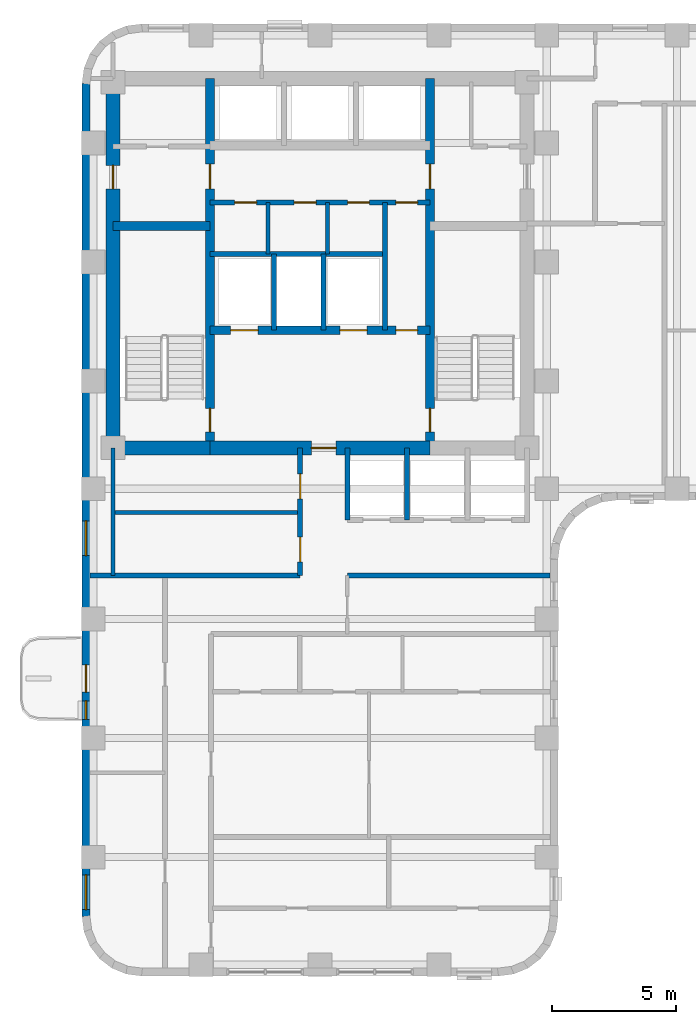
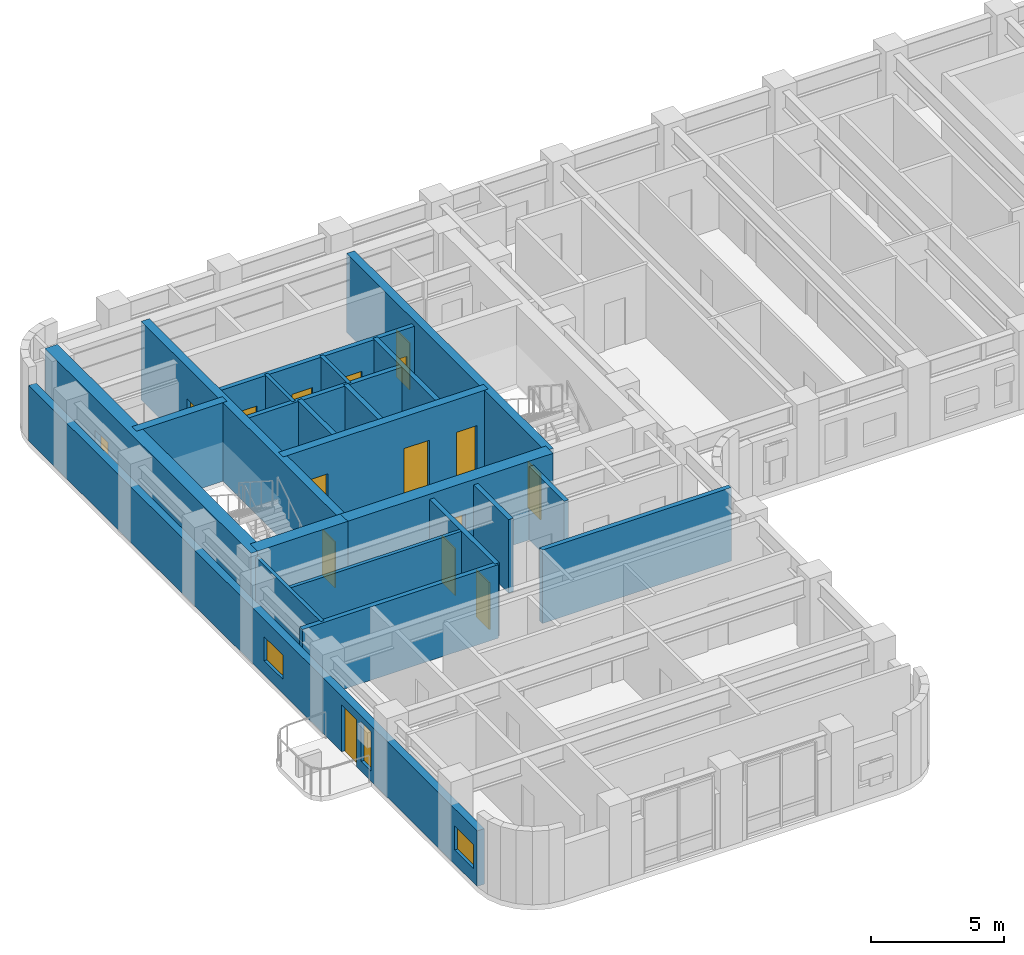
# One storey, part 5 of 11: 22 walls, 16 doors, 3 windows, 19 openings.
"""IFC4 building model written with IfcOpenShell, lengths in metres."""

import ifcopenshell
import ifcopenshell.guid

model = None  # the IFC model being written
_history = None  # IfcOwnerHistory: only IFC2X3 demands one
_inside = {}  # id of a spatial element -> (the spatial element, [elements in it])
_under = {}  # id of a project, library or spatial element -> (it, [spatial elements below it])
_declared = {}  # id of a project -> (the project, [libraries it declares])
_typed = {}  # id of a type object -> (the type object, [elements of that type])
_made_of = {}  # id of a material, layer set ... -> (it, [elements and type objects made of it])


def new_model(schema):
    """Start an empty IFC model of exactly this schema.

    Asked for "IFC4X3", IfcOpenShell would pick the latest addendum, in which some entities
    have other attributes; the version numbers below select the first issue.
    IFC2X3 requires an IfcOwnerHistory on every rooted entity: one is made here for all.
    """
    global model, _history
    if schema == "IFC4X3":
        model = ifcopenshell.file(schema_version=(4, 3, 0, 0))
    else:
        model = ifcopenshell.file(schema=schema)
    _inside.clear()
    _under.clear()
    _declared.clear()
    _typed.clear()
    _made_of.clear()
    _history = None
    if model.schema == "IFC2X3":
        org = make("IfcOrganization", Name="unknown")
        user = make(
            "IfcPersonAndOrganization",
            ThePerson=make("IfcPerson", FamilyName="unknown"),
            TheOrganization=org,
        )
        app = make(
            "IfcApplication",
            ApplicationDeveloper=org,
            Version="unknown",
            ApplicationFullName="unknown",
            ApplicationIdentifier="unknown",
        )
        _history = make(
            "IfcOwnerHistory",
            OwningUser=user,
            OwningApplication=app,
            ChangeAction="ADDED",
            CreationDate=0,
        )
    return model


def make(cls, **values):
    """One entity of the class cls with the attributes given. An attribute that is None is left unset."""
    return model.create_entity(
        cls, **{name: value for name, value in values.items() if value is not None}
    )


def rooted(cls, **values):
    """An entity with a GlobalId (a new one), such as an element, a storey or a relation."""
    return make(cls, GlobalId=ifcopenshell.guid.new(), OwnerHistory=_history, **values)


def si_unit(unit_type, name, prefix=None):
    """IfcSIUnit, for example si_unit("LENGTHUNIT", "METRE", prefix="MILLI")."""
    return make("IfcSIUnit", UnitType=unit_type, Prefix=prefix, Name=name)


def assignment(units):
    """IfcUnitAssignment: the units of a project."""
    return None if units is None else make("IfcUnitAssignment", Units=units)


def point(xyz):
    """IfcCartesianPoint."""
    return None if xyz is None else make("IfcCartesianPoint", Coordinates=xyz)


def direction(xyz):
    """IfcDirection."""
    return None if xyz is None else make("IfcDirection", DirectionRatios=xyz)


def frame(location, z_axis=None, x_axis=None):
    """IfcAxis2Placement3D, a coordinate frame: its origin and axes. An axis left out is left unset."""
    return make(
        "IfcAxis2Placement3D",
        Location=point(location),
        Axis=direction(z_axis),
        RefDirection=direction(x_axis),
    )


def frame_2d(location, x_axis=None):
    """IfcAxis2Placement2D, a coordinate frame in the plane: its origin and x axis."""
    return make(
        "IfcAxis2Placement2D", Location=point(location), RefDirection=direction(x_axis)
    )


def origin():
    """The frame at (0, 0, 0) with its axes left unset."""
    return frame((0.0, 0.0, 0.0))


def place(relative_to, where):
    """IfcLocalPlacement: puts the frame where relative to a parent placement (None: the world)."""
    return make(
        "IfcLocalPlacement", PlacementRelTo=relative_to, RelativePlacement=where
    )


def context(
    kind, dimensions, precision=None, world=None, true_north=None, identifier=None
):
    """IfcGeometricRepresentationContext, for example the 3D "Model" context."""
    return make(
        "IfcGeometricRepresentationContext",
        ContextIdentifier=identifier,
        ContextType=kind,
        CoordinateSpaceDimension=dimensions,
        Precision=precision,
        WorldCoordinateSystem=world,
        TrueNorth=true_north,
    )


def subcontext(parent, identifier, kind, view, scale=None):
    """IfcGeometricRepresentationSubContext, for example "Body" below "Model"."""
    return make(
        "IfcGeometricRepresentationSubContext",
        ContextIdentifier=identifier,
        ContextType=kind,
        ParentContext=parent,
        TargetScale=scale,
        TargetView=view,
    )


def project(units=None, contexts=None):
    """IfcProject with its units and contexts."""
    return rooted(
        "IfcProject",
        Name="project",
        RepresentationContexts=contexts,
        UnitsInContext=assignment(units),
    )


def spatial(cls, under=None, at=None, **own):
    """A site, building, storey or space (cls), placed at a placement, below another one or the project."""
    s = rooted(cls, ObjectPlacement=at, **own)
    if under is not None:
        _under.setdefault(under.id(), (under, []))[1].append(s)
    return s


def profile(cls, at=None, kind="AREA", **sizes):
    """A parametric profile (cls). Its sizes go by their IFC names, for example OverallWidth=200.0."""
    return make(cls, ProfileType=kind, Position=at, **sizes)


def rectangle(**sizes):
    """IfcRectangleProfileDef."""
    return profile("IfcRectangleProfileDef", **sizes)


def extrude(swept, where, along, depth):
    """IfcExtrudedAreaSolid: the profile swept, set in the frame where, extruded along a direction by depth."""
    return make(
        "IfcExtrudedAreaSolid",
        SweptArea=swept,
        Position=where,
        ExtrudedDirection=direction(along),
        Depth=depth,
    )


def shape(context_of_items, identifier, shape_type, items):
    """IfcShapeRepresentation: the items that make up one representation, for example the "Body"."""
    return make(
        "IfcShapeRepresentation",
        ContextOfItems=context_of_items,
        RepresentationIdentifier=identifier,
        RepresentationType=shape_type,
        Items=items,
    )


def material(Name=None, Category=None):
    """IfcMaterial."""
    return make("IfcMaterial", Name=Name, Category=Category)


def layer(
    of_material, thickness, ventilated=None, Name=None, Category=None, Priority=None
):
    """IfcMaterialLayer: one layer of a wall or slab, of a material (None: an air gap)."""
    return make(
        "IfcMaterialLayer",
        Material=of_material,
        LayerThickness=thickness,
        IsVentilated=ventilated,
        Name=Name,
        Category=Category,
        Priority=Priority,
    )


def layer_set(layers, Name=None):
    """IfcMaterialLayerSet."""
    return make("IfcMaterialLayerSet", MaterialLayers=layers, LayerSetName=Name)


def made_of(thing, what):
    """Note that an element or type object is made of a material, layer set ...; save() writes the relation."""
    if what is not None:
        _made_of.setdefault(what.id(), (what, []))[1].append(thing)
    return thing


def type_object(cls, material=None, **own):
    """A type object (cls), such as IfcWallType, which elements share."""
    return made_of(rooted(cls, **own), material)


def element(
    cls,
    number,
    at=None,
    inside=None,
    cuts=None,
    type_object=None,
    material=None,
    context=None,
    identifier="Body",
    shape_type=None,
    held_by="IfcProductDefinitionShape",
    body=None,
    shapes=None,
    **own,
):
    """One element of the class cls, such as IfcWall. Its Tag is "e" and its number.

    at: its placement. inside: the storey or other place that contains it. cuts: it is an
    opening in that element (IfcRelVoidsElement). A single representation is given by context,
    identifier, shape_type and body (its items); several are given by shapes. held_by: the class
    of the entity that holds the representations. save() writes the other relations.
    """
    e = rooted(cls, Tag="e%d" % number, ObjectPlacement=at, **own)
    if body is not None:
        shapes = [shape(context, identifier, shape_type, body)]
    if shapes is not None:
        e.Representation = make(held_by, Representations=shapes)
    if inside is not None:
        _inside.setdefault(inside.id(), (inside, []))[1].append(e)
    if cuts is not None:
        rooted(
            "IfcRelVoidsElement", RelatingBuildingElement=cuts, RelatedOpeningElement=e
        )
    if type_object is not None:
        _typed.setdefault(type_object.id(), (type_object, []))[1].append(e)
    return made_of(e, material)


def fill(opening, filler):
    """IfcRelFillsElement: the door or window that sits in an opening."""
    return rooted(
        "IfcRelFillsElement",
        RelatingOpeningElement=opening,
        RelatedBuildingElement=filler,
    )


def aggregate(whole, parts):
    """IfcRelAggregates: a whole, such as a stair, and the parts it consists of."""
    return rooted("IfcRelAggregates", RelatingObject=whole, RelatedObjects=parts)


def save(model, path):
    """Write the relations noted so far, then the file.

    IfcRelAggregates (storeys below a building ...), IfcRelContainedInSpatialStructure (elements
    in a storey), IfcRelDefinesByType, IfcRelAssociatesMaterial and IfcRelDeclares: one each for
    every whole, place, type object, material and project.
    """
    for whole, parts in _under.values():
        aggregate(whole, parts)
    for where, things in _inside.values():
        rooted(
            "IfcRelContainedInSpatialStructure",
            RelatedElements=things,
            RelatingStructure=where,
        )
    for kind, things in _typed.values():
        rooted("IfcRelDefinesByType", RelatedObjects=things, RelatingType=kind)
    for what, things in _made_of.values():
        rooted("IfcRelAssociatesMaterial", RelatedObjects=things, RelatingMaterial=what)
    for by, libraries in _declared.values():
        rooted("IfcRelDeclares", RelatingContext=by, RelatedDefinitions=libraries)
    model.write(path)


model = new_model("IFC4")

# Units and contexts
model_context = context("Model", 3, precision=1e-05, world=origin(), true_north=direction((0.0, 1.0)))
body_context = subcontext(model_context, "Body", "Model", "MODEL_VIEW")
ifc_project = project(units=[si_unit("LENGTHUNIT", "METRE"), si_unit("AREAUNIT", "SQUARE_METRE"), si_unit("VOLUMEUNIT", "CUBIC_METRE"), si_unit("PLANEANGLEUNIT", "RADIAN"), si_unit("MASSUNIT", "GRAM", prefix="KILO")], contexts=[model_context])

# Site, building, storey
site_placement = place(None, origin())
site = spatial("IfcSite", under=ifc_project, at=site_placement, CompositionType="ELEMENT")
building_placement = place(site_placement, origin())
building = spatial("IfcBuilding", under=site, at=building_placement, Name="Orvandelia Arch Residences", CompositionType="ELEMENT")
storey_placement = place(building_placement, frame((0.0, 0.0, 146.800048828125)))
storey = spatial("IfcBuildingStorey", under=building, at=storey_placement, Name="L38", CompositionType="ELEMENT", Elevation=146.800048828125)

# Wall, openings, doors
ifc_material_1 = material(Name="Concrete C50/60", Category="concrete")
ifc_layer_1 = layer(ifc_material_1, 0.35009765625, Name="Concrete C50/60", Category="concrete")
ifc_layer_set_1 = layer_set([ifc_layer_1], Name="Concrete C50/60")
wall_type_1 = type_object("IfcWallType", Name="WL-CORE-350", PredefinedType="SHEAR", material=ifc_layer_set_1)
wall_1_placement = place(storey_placement, frame((9.9599609375, 30.89990234375, 0.0), z_axis=(0.0, 0.0, 1.0), x_axis=(0.0, 1.0, 0.0)))
wall_1 = element("IfcWall", 1, at=wall_1_placement, inside=storey, type_object=wall_type_1, Name="Core Shear Wall L38-WEB1", PredefinedType="SHEAR", context=body_context, shape_type="SweptSolid", body=[
    extrude(rectangle(XDim=14.900146484375, YDim=0.35009765625, at=frame_2d((7.4501953125, 0.0))), origin(), (0.0, 0.0, 1.0), 3.599853515625),
])
opening_1_placement = place(wall_1_placement, frame((0.64990234375, 0.0, 0.0)))
opening_1 = element("IfcOpeningElement", 2, at=opening_1_placement, cuts=wall_1, Name="Opening D7", PredefinedType="OPENING", context=body_context, shape_type="SweptSolid", body=[
    extrude(rectangle(XDim=0.949951171875, YDim=2.10009765625, at=frame_2d((0.47509765625, 1.050048828125))), frame((0.0, 0.18505859375, 0.0), z_axis=(0.0, -1.0, 0.0), x_axis=(1.0, 0.0, 0.0)), (0.0, 0.0, 1.0), 0.3701171875),
])
opening_2_placement = place(wall_1_placement, frame((10.449951171875, 0.0, 0.0)))
opening_2 = element("IfcOpeningElement", 3, at=opening_2_placement, cuts=wall_1, Name="Opening D6", PredefinedType="OPENING", context=body_context, shape_type="SweptSolid", body=[
    extrude(rectangle(XDim=1.0, YDim=2.14990234375, at=frame_2d((0.5, 1.074951171875))), frame((0.0, 0.18505859375, 0.0), z_axis=(0.0, -1.0, 0.0), x_axis=(1.0, 0.0, 0.0)), (0.0, 0.0, 1.0), 0.3701171875),
])
ifc_material_2 = material(Name="Smokeproof Painted Steel Fire Door", Category="steel")
door_type_1 = type_object("IfcDoorType", Name="DR-FD60-1000", OperationType="NOTDEFINED", PredefinedType="DOOR", material=ifc_material_2)
door_1_placement = place(opening_2_placement, origin())
door_1 = element("IfcDoor", 4, at=door_1_placement, inside=storey, type_object=door_type_1, Name="High-Rise Lift Hall West Vestibule Door L38", OperationType="SINGLE_SWING_LEFT", OverallHeight=2.14990234375, OverallWidth=1.0, PredefinedType="DOOR", context=body_context, shape_type="SweptSolid", body=[
    extrude(rectangle(XDim=1.0, YDim=2.14990234375, at=frame_2d((0.5, 1.074951171875))), frame((0.0, 0.02490234375, 0.0), z_axis=(0.0, -1.0, 0.0), x_axis=(1.0, 0.0, 0.0)), (0.0, 0.0, 1.0), 0.050048828125),
])
fill(opening_2, door_1)
ifc_material_3 = material(Name="Pressurised Stairwell Fire Door")
door_type_2 = type_object("IfcDoorType", Name="DR-STAIR-950", OperationType="NOTDEFINED", PredefinedType="DOOR", material=ifc_material_3)
door_2_placement = place(opening_1_placement, origin())
door_2 = element("IfcDoor", 5, at=door_2_placement, inside=storey, type_object=door_type_2, Name="Stairwell ST-1 Fire Door L38", OperationType="SINGLE_SWING_LEFT", OverallHeight=2.10009765625, OverallWidth=0.949951171875, PredefinedType="DOOR", context=body_context, shape_type="SweptSolid", body=[
    extrude(rectangle(XDim=0.949951171875, YDim=2.10009765625, at=frame_2d((0.47509765625, 1.050048828125))), frame((0.0, 0.02490234375, 0.0), z_axis=(0.0, -1.0, 0.0), x_axis=(1.0, 0.0, 0.0)), (0.0, 0.0, 1.0), 0.050048828125),
])
fill(opening_1, door_2)

wall_2_placement = place(storey_placement, frame((18.840087890625, 30.89990234375, 0.0), z_axis=(0.0, 0.0, 1.0), x_axis=(0.0, 1.0, 0.0)))
wall_2 = element("IfcWall", 6, at=wall_2_placement, inside=storey, type_object=wall_type_1, Name="Core Shear Wall L38-WEB2", PredefinedType="SHEAR", context=body_context, shape_type="SweptSolid", body=[
    extrude(rectangle(XDim=14.900146484375, YDim=0.35009765625, at=frame_2d((7.4501953125, 0.0))), origin(), (0.0, 0.0, 1.0), 3.599853515625),
])
opening_3_placement = place(wall_2_placement, frame((0.64990234375, 0.0, 0.0)))
opening_3 = element("IfcOpeningElement", 7, at=opening_3_placement, cuts=wall_2, Name="Opening D7", PredefinedType="OPENING", context=body_context, shape_type="SweptSolid", body=[
    extrude(rectangle(XDim=0.949951171875, YDim=2.10009765625, at=frame_2d((0.47509765625, 1.050048828125))), frame((0.0, 0.18505859375, 0.0), z_axis=(0.0, -1.0, 0.0), x_axis=(1.0, 0.0, 0.0)), (0.0, 0.0, 1.0), 0.3701171875),
])
opening_4_placement = place(wall_2_placement, frame((10.449951171875, 0.0, 0.0)))
opening_4 = element("IfcOpeningElement", 8, at=opening_4_placement, cuts=wall_2, Name="Opening D6", PredefinedType="OPENING", context=body_context, shape_type="SweptSolid", body=[
    extrude(rectangle(XDim=1.0, YDim=2.14990234375, at=frame_2d((0.5, 1.074951171875))), frame((0.0, 0.18505859375, 0.0), z_axis=(0.0, -1.0, 0.0), x_axis=(1.0, 0.0, 0.0)), (0.0, 0.0, 1.0), 0.3701171875),
])
door_3_placement = place(opening_4_placement, origin())
door_3 = element("IfcDoor", 9, at=door_3_placement, inside=storey, type_object=door_type_1, Name="High-Rise Lift Hall East Vestibule Door L38", OperationType="SINGLE_SWING_RIGHT", OverallHeight=2.14990234375, OverallWidth=1.0, PredefinedType="DOOR", context=body_context, shape_type="SweptSolid", body=[
    extrude(rectangle(XDim=1.0, YDim=2.14990234375, at=frame_2d((0.5, 1.074951171875))), frame((0.0, 0.02490234375, 0.0), z_axis=(0.0, -1.0, 0.0), x_axis=(1.0, 0.0, 0.0)), (0.0, 0.0, 1.0), 0.050048828125),
])
fill(opening_4, door_3)
door_4_placement = place(opening_3_placement, origin())
door_4 = element("IfcDoor", 10, at=door_4_placement, inside=storey, type_object=door_type_2, Name="Stairwell ST-2 Fire Door L38", OperationType="SINGLE_SWING_RIGHT", OverallHeight=2.10009765625, OverallWidth=0.949951171875, PredefinedType="DOOR", context=body_context, shape_type="SweptSolid", body=[
    extrude(rectangle(XDim=0.949951171875, YDim=2.10009765625, at=frame_2d((0.47509765625, 1.050048828125))), frame((0.0, 0.02490234375, 0.0), z_axis=(0.0, -1.0, 0.0), x_axis=(1.0, 0.0, 0.0)), (0.0, 0.0, 1.0), 0.050048828125),
])
fill(opening_3, door_4)

# Wall
wall_3_placement = place(storey_placement, frame((6.050048828125, 39.85009765625, 0.0), z_axis=(0.0, 0.0, 1.0), x_axis=(1.0, 0.0, 0.0)))
element("IfcWall", 11, at=wall_3_placement, inside=storey, type_object=wall_type_1, Name="Core Shear Wall L38-HZ1", PredefinedType="SHEAR", context=body_context, shape_type="SweptSolid", body=[
    extrude(rectangle(XDim=3.909912109375, YDim=0.35009765625, at=frame_2d((1.955078125, 0.0))), origin(), (0.0, 0.0, 1.0), 3.599853515625),
])

# Wall, openings, doors
wall_4_placement = place(storey_placement, frame((9.9599609375, 35.64990234375, 0.0), z_axis=(0.0, 0.0, 1.0), x_axis=(1.0, 0.0, 0.0)))
wall_4 = element("IfcWall", 12, at=wall_4_placement, inside=storey, type_object=wall_type_1, Name="Core Shear Wall L38-HZ3", PredefinedType="SHEAR", context=body_context, shape_type="SweptSolid", body=[
    extrude(rectangle(XDim=8.880126953125, YDim=0.35009765625, at=frame_2d((4.43994140625, 0.0))), origin(), (0.0, 0.0, 1.0), 3.599853515625),
])
opening_5_placement = place(wall_4_placement, frame((0.840087890625, 0.0, 0.0)))
opening_5 = element("IfcOpeningElement", 13, at=opening_5_placement, cuts=wall_4, Name="Opening FLD", PredefinedType="OPENING", context=body_context, shape_type="SweptSolid", body=[
    extrude(rectangle(XDim=1.10009765625, YDim=2.14990234375, at=frame_2d((0.550048828125, 1.074951171875))), frame((0.0, 0.18505859375, 0.0), z_axis=(0.0, -1.0, 0.0), x_axis=(1.0, 0.0, 0.0)), (0.0, 0.0, 1.0), 0.3701171875),
])
opening_6_placement = place(wall_4_placement, frame((5.239990234375, 0.0, 0.0)))
opening_6 = element("IfcOpeningElement", 14, at=opening_6_placement, cuts=wall_4, Name="Opening FLD", PredefinedType="OPENING", context=body_context, shape_type="SweptSolid", body=[
    extrude(rectangle(XDim=1.10009765625, YDim=2.14990234375, at=frame_2d((0.550048828125, 1.074951171875))), frame((0.0, 0.18505859375, 0.0), z_axis=(0.0, -1.0, 0.0), x_axis=(1.0, 0.0, 0.0)), (0.0, 0.0, 1.0), 0.3701171875),
])
opening_7_placement = place(wall_4_placement, frame((7.5, 0.0, 0.0)))
opening_7 = element("IfcOpeningElement", 15, at=opening_7_placement, cuts=wall_4, Name="Opening D5", PredefinedType="OPENING", context=body_context, shape_type="SweptSolid", body=[
    extrude(rectangle(XDim=0.8798828125, YDim=2.10009765625, at=frame_2d((0.43994140625, 1.050048828125))), frame((0.0, 0.18505859375, 0.0), z_axis=(0.0, -1.0, 0.0), x_axis=(1.0, 0.0, 0.0)), (0.0, 0.0, 1.0), 0.3701171875),
])
ifc_material_4 = material(Name="Firefighting Lift Stainless Sliding Door")
door_type_3 = type_object("IfcDoorType", Name="DR-FLFT-1100", OperationType="NOTDEFINED", PredefinedType="DOOR", material=ifc_material_4)
door_5_placement = place(opening_5_placement, origin())
door_5 = element("IfcDoor", 16, at=door_5_placement, inside=storey, type_object=door_type_3, Name="Firefighting Lift Landing Door FLD-FL1-L38", OperationType="SLIDING_TO_LEFT", OverallHeight=2.14990234375, OverallWidth=1.10009765625, PredefinedType="DOOR", context=body_context, shape_type="SweptSolid", body=[
    extrude(rectangle(XDim=1.10009765625, YDim=2.14990234375, at=frame_2d((0.550048828125, 1.074951171875))), frame((0.0, 0.02490234375, 0.0), z_axis=(0.0, -1.0, 0.0), x_axis=(1.0, 0.0, 0.0)), (0.0, 0.0, 1.0), 0.050048828125),
])
fill(opening_5, door_5)
door_6_placement = place(opening_6_placement, origin())
door_6 = element("IfcDoor", 17, at=door_6_placement, inside=storey, type_object=door_type_3, Name="Firefighting Lift Landing Door FLD-FL2-L38", OperationType="SLIDING_TO_RIGHT", OverallHeight=2.14990234375, OverallWidth=1.10009765625, PredefinedType="DOOR", context=body_context, shape_type="SweptSolid", body=[
    extrude(rectangle(XDim=1.10009765625, YDim=2.14990234375, at=frame_2d((0.550048828125, 1.074951171875))), frame((0.0, 0.02490234375, 0.0), z_axis=(0.0, -1.0, 0.0), x_axis=(1.0, 0.0, 0.0)), (0.0, 0.0, 1.0), 0.050048828125),
])
fill(opening_6, door_6)
ifc_material_5 = material(Name="Painted Galvanised Steel Service Door", Category="steel")
door_type_4 = type_object("IfcDoorType", Name="DR-SRV-880", OperationType="NOTDEFINED", PredefinedType="DOOR", material=ifc_material_5)
door_7_placement = place(opening_7_placement, origin())
door_7 = element("IfcDoor", 18, at=door_7_placement, inside=storey, type_object=door_type_4, Name="Core Stairway Passage South Fire Door L38", OperationType="SINGLE_SWING_LEFT", OverallHeight=2.10009765625, OverallWidth=0.8798828125, PredefinedType="DOOR", context=body_context, shape_type="SweptSolid", body=[
    extrude(rectangle(XDim=0.8798828125, YDim=2.10009765625, at=frame_2d((0.43994140625, 1.050048828125))), frame((0.0, 0.02490234375, 0.0), z_axis=(0.0, -1.0, 0.0), x_axis=(1.0, 0.0, 0.0)), (0.0, 0.0, 1.0), 0.050048828125),
])
fill(opening_7, door_7)

# Wall, opening, door
ifc_material_6 = material(Name="Concrete C60/75", Category="concrete")
ifc_layer_2 = layer(ifc_material_6, 0.550048828125, Name="Concrete C60/75", Category="concrete")
ifc_layer_set_2 = layer_set([ifc_layer_2], Name="Concrete C60/75")
wall_type_2 = type_object("IfcWallType", Name="WL-CORE-550", PredefinedType="SHEAR", material=ifc_layer_set_2)
wall_5_placement = place(storey_placement, frame((6.050048828125, 30.625, 0.0), z_axis=(0.0, 0.0, 1.0), x_axis=(0.0, 1.0, 0.0)))
wall_5 = element("IfcWall", 19, at=wall_5_placement, inside=storey, type_object=wall_type_2, Name="Core Shear Wall L38-W", PredefinedType="SHEAR", context=body_context, shape_type="SweptSolid", body=[
    extrude(rectangle(XDim=15.449951171875, YDim=0.550048828125, at=frame_2d((7.72509765625, 0.0))), origin(), (0.0, 0.0, 1.0), 3.599853515625),
])
opening_8_placement = place(wall_5_placement, frame((10.72509765625, 0.0, 0.0)))
opening_8 = element("IfcOpeningElement", 20, at=opening_8_placement, cuts=wall_5, Name="Opening D2", PredefinedType="OPENING", context=body_context, shape_type="SweptSolid", body=[
    extrude(rectangle(XDim=0.949951171875, YDim=2.14990234375, at=frame_2d((0.47509765625, 1.074951171875))), frame((0.0, 0.28515625, 0.0), z_axis=(0.0, -1.0, 0.0), x_axis=(1.0, 0.0, 0.0)), (0.0, 0.0, 1.0), 0.570068359375),
])
ifc_material_7 = material(Name="Solid-Core Timber Interior Fire Door", Category="wood")
door_type_5 = type_object("IfcDoorType", Name="DR-APT-950", OperationType="NOTDEFINED", PredefinedType="DOOR", material=ifc_material_7)
door_8_placement = place(opening_8_placement, origin())
door_8 = element("IfcDoor", 21, at=door_8_placement, inside=storey, type_object=door_type_5, Name="West Viewing Study Door L38", OperationType="SINGLE_SWING_RIGHT", OverallHeight=2.14990234375, OverallWidth=0.949951171875, PredefinedType="DOOR", context=body_context, shape_type="SweptSolid", body=[
    extrude(rectangle(XDim=0.949951171875, YDim=2.14990234375, at=frame_2d((0.47509765625, 1.074951171875))), frame((0.0, 0.02490234375, 0.0), z_axis=(0.0, -1.0, 0.0), x_axis=(1.0, 0.0, 0.0)), (0.0, 0.0, 1.0), 0.050048828125),
])
fill(opening_8, door_8)

# Wall
wall_6_placement = place(storey_placement, frame((6.050048828125, 30.89990234375, 0.0), z_axis=(0.0, 0.0, 1.0), x_axis=(1.0, 0.0, 0.0)))
element("IfcWall", 22, at=wall_6_placement, inside=storey, type_object=wall_type_2, Name="Core Shear Wall L38-SW", PredefinedType="SHEAR", context=body_context, shape_type="SweptSolid", body=[
    extrude(rectangle(XDim=3.909912109375, YDim=0.550048828125, at=frame_2d((1.955078125, 0.0))), origin(), (0.0, 0.0, 1.0), 3.599853515625),
])

# Wall, opening, door
wall_7_placement = place(storey_placement, frame((9.9599609375, 30.89990234375, 0.0), z_axis=(0.0, 0.0, 1.0), x_axis=(1.0, 0.0, 0.0)))
wall_7 = element("IfcWall", 23, at=wall_7_placement, inside=storey, type_object=wall_type_2, Name="Core Shear Wall L38-SM", PredefinedType="SHEAR", context=body_context, shape_type="SweptSolid", body=[
    extrude(rectangle(XDim=8.880126953125, YDim=0.550048828125, at=frame_2d((4.43994140625, 0.0))), origin(), (0.0, 0.0, 1.0), 3.599853515625),
])
opening_9_placement = place(wall_7_placement, frame((4.090087890625, 0.0, 0.0)))
opening_9 = element("IfcOpeningElement", 24, at=opening_9_placement, cuts=wall_7, Name="Opening D6", PredefinedType="OPENING", context=body_context, shape_type="SweptSolid", body=[
    extrude(rectangle(XDim=1.0, YDim=2.14990234375, at=frame_2d((0.5, 1.074951171875))), frame((0.0, 0.28515625, 0.0), z_axis=(0.0, -1.0, 0.0), x_axis=(1.0, 0.0, 0.0)), (0.0, 0.0, 1.0), 0.570068359375),
])
door_9_placement = place(opening_9_placement, origin())
door_9 = element("IfcDoor", 25, at=door_9_placement, inside=storey, type_object=door_type_1, Name="Firefighting Lobby Smokeproof Door L38", OperationType="SINGLE_SWING_LEFT", OverallHeight=2.14990234375, OverallWidth=1.0, PredefinedType="DOOR", context=body_context, shape_type="SweptSolid", body=[
    extrude(rectangle(XDim=1.0, YDim=2.14990234375, at=frame_2d((0.5, 1.074951171875))), frame((0.0, 0.02490234375, 0.0), z_axis=(0.0, -1.0, 0.0), x_axis=(1.0, 0.0, 0.0)), (0.0, 0.0, 1.0), 0.050048828125),
])
fill(opening_9, door_9)

# Walls
ifc_material_8 = material(Name="Fire-Rated Corridor Partition")
ifc_layer_3 = layer(ifc_material_8, 0.199951171875, Name="Fire-Rated Corridor Partition")
ifc_layer_set_3 = layer_set([ifc_layer_3], Name="Fire-Rated Corridor Partition")
wall_type_3 = type_object("IfcWallType", Name="WL-CORR-200", PredefinedType="PARTITIONING", material=ifc_layer_set_3)
wall_8_placement = place(storey_placement, frame((5.1201171875, 25.75, 0.0), z_axis=(0.0, 0.0, 1.0), x_axis=(1.0, 0.0, 0.0)))
element("IfcWall", 26, at=wall_8_placement, inside=storey, type_object=wall_type_3, Name="Interior Partition Wall WL-L38-WLNK-N", PredefinedType="PARTITIONING", context=body_context, shape_type="SweptSolid", body=[
    extrude(rectangle(XDim=8.47998046875, YDim=0.199951171875, at=frame_2d((4.239990234375, 0.0))), origin(), (0.0, 0.0, 1.0), 3.35986328125),
])
wall_9_placement = place(storey_placement, frame((15.5, 25.75, 0.0), z_axis=(0.0, 0.0, 1.0), x_axis=(1.0, 0.0, 0.0)))
element("IfcWall", 27, at=wall_9_placement, inside=storey, type_object=wall_type_3, Name="Interior Partition Wall WL-L38-WLNK-NE2", PredefinedType="PARTITIONING", context=body_context, shape_type="SweptSolid", body=[
    extrude(rectangle(XDim=8.179931640625, YDim=0.199951171875, at=frame_2d((4.08984375, 0.0))), origin(), (0.0, 0.0, 1.0), 3.35986328125),
])

# Wall, openings, door, windows
ifc_material_9 = material(Name="Precast concrete C40/50", Category="concrete")
ifc_layer_4 = layer(ifc_material_9, 0.320068359375, Name="Precast concrete C40/50", Category="concrete")
ifc_layer_set_4 = layer_set([ifc_layer_4], Name="Precast concrete C40/50")
wall_type_4 = type_object("IfcWallType", Name="WL-EXT-STONE-320", PredefinedType="STANDARD", material=ifc_layer_set_4)
wall_10_placement = place(storey_placement, frame((4.9599609375, 12.0, 0.0), z_axis=(0.0, 0.0, 1.0), x_axis=(0.0, 1.0, 0.0)))
wall_10 = element("IfcWall", 28, at=wall_10_placement, inside=storey, type_object=wall_type_4, Name="Coral-Limestone Precast Facade Wall L38-044", PredefinedType="STANDARD", context=body_context, shape_type="SweptSolid", body=[
    extrude(rectangle(XDim=33.60009765625, YDim=0.320068359375, at=frame_2d((16.800048828125, 0.0))), origin(), (0.0, 0.0, 1.0), 2.5400390625),
])
opening_10_placement = place(wall_10_placement, frame((9.050048828125, 0.0, 0.0)))
opening_10 = element("IfcOpeningElement", 29, at=opening_10_placement, cuts=wall_10, Name="Opening BD1", PredefinedType="OPENING", context=body_context, shape_type="SweptSolid", body=[
    extrude(rectangle(XDim=1.10009765625, YDim=2.14990234375, at=frame_2d((0.550048828125, 1.074951171875))), frame((0.0, 0.169921875, 0.0), z_axis=(0.0, -1.0, 0.0), x_axis=(1.0, 0.0, 0.0)), (0.0, 0.0, 1.0), 0.340087890625),
])
opening_11_placement = place(wall_10_placement, frame((14.5576171875, 0.0, 0.64990234375)))
opening_11 = element("IfcOpeningElement", 30, at=opening_11_placement, cuts=wall_10, Name="Opening W10", PredefinedType="OPENING", context=body_context, shape_type="SweptSolid", body=[
    extrude(rectangle(XDim=1.39990234375, YDim=1.10009765625, at=frame_2d((0.699951171875, 0.550048828125))), frame((0.0, 0.169921875, 0.0), z_axis=(0.0, -1.0, 0.0), x_axis=(1.0, 0.0, 0.0)), (0.0, 0.0, 1.0), 0.340087890625),
])
opening_12_placement = place(wall_10_placement, frame((0.282470703125, 0.0, 0.64990234375)))
opening_12 = element("IfcOpeningElement", 31, at=opening_12_placement, cuts=wall_10, Name="Opening W10", PredefinedType="OPENING", context=body_context, shape_type="SweptSolid", body=[
    extrude(rectangle(XDim=1.39990234375, YDim=1.10009765625, at=frame_2d((0.699951171875, 0.550048828125))), frame((0.0, 0.169921875, 0.0), z_axis=(0.0, -1.0, 0.0), x_axis=(1.0, 0.0, 0.0)), (0.0, 0.0, 1.0), 0.340087890625),
])
opening_13_placement = place(wall_10_placement, frame((7.947509765625, 0.0, 0.449951171875)))
opening_13 = element("IfcOpeningElement", 32, at=opening_13_placement, cuts=wall_10, Name="Opening W11", PredefinedType="OPENING", context=body_context, shape_type="SweptSolid", body=[
    extrude(rectangle(XDim=0.75, YDim=1.800048828125, at=frame_2d((0.375, 0.89990234375))), frame((0.0, 0.169921875, 0.0), z_axis=(0.0, -1.0, 0.0), x_axis=(1.0, 0.0, 0.0)), (0.0, 0.0, 1.0), 0.340087890625),
])
ifc_material_10 = material(Name="Thermally Broken Aluminium Glazed Door", Category="aluminium")
door_type_6 = type_object("IfcDoorType", Name="DR-BAL-GLAZ-1100", OperationType="NOTDEFINED", PredefinedType="DOOR", material=ifc_material_10)
door_10_placement = place(opening_10_placement, origin())
door_10 = element("IfcDoor", 33, at=door_10_placement, inside=storey, type_object=door_type_6, Name="Tree Balcony Glazed Door BAL-L38-W1", OperationType="SINGLE_SWING_RIGHT", OverallHeight=2.14990234375, OverallWidth=1.10009765625, PredefinedType="DOOR", context=body_context, shape_type="SweptSolid", body=[
    extrude(rectangle(XDim=1.10009765625, YDim=2.14990234375, at=frame_2d((0.550048828125, 1.074951171875))), frame((0.0, 0.02490234375, 0.0), z_axis=(0.0, -1.0, 0.0), x_axis=(1.0, 0.0, 0.0)), (0.0, 0.0, 1.0), 0.050048828125),
])
fill(opening_10, door_10)
ifc_material_11 = material(Name="Tempered Low-E Insulated Glazing", Category="glass")
window_type_1 = type_object("IfcWindowType", Name="WIN-BED-0750x1800", PartitioningType="SINGLE_PANEL", PredefinedType="WINDOW", material=ifc_material_11)
window_1_placement = place(opening_13_placement, origin())
window_1 = element("IfcWindow", 34, at=window_1_placement, inside=storey, type_object=window_type_1, Name="Recessed Punched Window L38-021", OverallHeight=1.800048828125, OverallWidth=0.75, PartitioningType="SINGLE_PANEL", PredefinedType="WINDOW", context=body_context, shape_type="SweptSolid", body=[
    extrude(rectangle(XDim=0.75, YDim=1.800048828125, at=frame_2d((0.375, 0.89990234375))), frame((0.0, 0.030029296875, 0.0), z_axis=(0.0, -1.0, 0.0), x_axis=(1.0, 0.0, 0.0)), (0.0, 0.0, 1.0), 0.06005859375),
])
fill(opening_13, window_1)
window_type_2 = type_object("IfcWindowType", Name="WIN-CLR-1400x1100", PartitioningType="SINGLE_PANEL", PredefinedType="WINDOW", material=ifc_material_11)
window_2_placement = place(opening_11_placement, origin())
window_2 = element("IfcWindow", 35, at=window_2_placement, inside=storey, type_object=window_type_2, Name="Recessed Punched Window L38-019", OverallHeight=1.10009765625, OverallWidth=1.39990234375, PartitioningType="SINGLE_PANEL", PredefinedType="WINDOW", context=body_context, shape_type="SweptSolid", body=[
    extrude(rectangle(XDim=1.39990234375, YDim=1.10009765625, at=frame_2d((0.699951171875, 0.550048828125))), frame((0.0, 0.030029296875, 0.0), z_axis=(0.0, -1.0, 0.0), x_axis=(1.0, 0.0, 0.0)), (0.0, 0.0, 1.0), 0.06005859375),
])
fill(opening_11, window_2)
window_3_placement = place(opening_12_placement, origin())
window_3 = element("IfcWindow", 36, at=window_3_placement, inside=storey, type_object=window_type_2, Name="Recessed Punched Window L38-020", OverallHeight=1.10009765625, OverallWidth=1.39990234375, PartitioningType="SINGLE_PANEL", PredefinedType="WINDOW", context=body_context, shape_type="SweptSolid", body=[
    extrude(rectangle(XDim=1.39990234375, YDim=1.10009765625, at=frame_2d((0.699951171875, 0.550048828125))), frame((0.0, 0.030029296875, 0.0), z_axis=(0.0, -1.0, 0.0), x_axis=(1.0, 0.0, 0.0)), (0.0, 0.0, 1.0), 0.06005859375),
])
fill(opening_12, window_3)

# Walls
ifc_material_12 = material(Name="Acoustic Gypsum Stud Partition")
ifc_layer_5 = layer(ifc_material_12, 0.14990234375, Name="Acoustic Gypsum Stud Partition")
ifc_layer_set_5 = layer_set([ifc_layer_5], Name="Acoustic Gypsum Stud Partition")
wall_type_5 = type_object("IfcWallType", Name="WL-PART-150", PredefinedType="PARTITIONING", material=ifc_layer_set_5)
for number, where, z_axis, x_axis, name in (
    (37, (12.300048828125, 38.719970703125, 0.0), (0.0, 0.0, 1.0), (0.0, 1.0, 0.0), "Interior Partition Wall WL-L38-CSA-1"),
    (38, (14.699951171875, 38.719970703125, 0.0), (0.0, 0.0, 1.0), (0.0, 1.0, 0.0), "Interior Partition Wall WL-L38-CSA-2"),
):
    element("IfcWall", number, at=place(storey_placement, frame(where, z_axis=z_axis, x_axis=x_axis)), inside=storey, type_object=wall_type_5, Name=name, PredefinedType="PARTITIONING", context=body_context, shape_type="SweptSolid", body=[
        extrude(rectangle(XDim=2.080078125, YDim=0.14990234375, at=frame_2d((1.0400390625, 0.0))), origin(), (0.0, 0.0, 1.0), 3.35986328125),
    ])
wall_11_placement = place(storey_placement, frame((6.050048828125, 25.75, 0.0), z_axis=(0.0, 0.0, 1.0), x_axis=(0.0, 1.0, 0.0)))
element("IfcWall", 39, at=wall_11_placement, inside=storey, type_object=wall_type_5, Name="Interior Partition Wall WL-L38-B1REUSE-W", PredefinedType="PARTITIONING", context=body_context, shape_type="SweptSolid", body=[
    extrude(rectangle(XDim=5.14990234375, YDim=0.14990234375, at=frame_2d((2.574951171875, 0.0))), origin(), (0.0, 0.0, 1.0), 3.35986328125),
])
wall_12_placement = place(storey_placement, frame((6.050048828125, 28.300048828125, 0.0), z_axis=(0.0, 0.0, 1.0), x_axis=(1.0, 0.0, 0.0)))
element("IfcWall", 40, at=wall_12_placement, inside=storey, type_object=wall_type_5, Name="Interior Partition Wall WL-L38-B1R-H", PredefinedType="PARTITIONING", context=body_context, shape_type="SweptSolid", body=[
    extrude(rectangle(XDim=7.550048828125, YDim=0.14990234375, at=frame_2d((3.77490234375, 0.0))), origin(), (0.0, 0.0, 1.0), 3.35986328125),
])
ifc_material_13 = material(Name="Fire-Rated Shaft Enclosure Wall")
ifc_layer_6 = layer(ifc_material_13, 0.199951171875, Name="Fire-Rated Shaft Enclosure Wall")
ifc_layer_set_6 = layer_set([ifc_layer_6], Name="Fire-Rated Shaft Enclosure Wall")
wall_type_6 = type_object("IfcWallType", Name="WL-SHAFT-200", PredefinedType="POLYGONAL", material=ifc_layer_set_6)
wall_13_placement = place(storey_placement, frame((9.9599609375, 38.719970703125, 0.0), z_axis=(0.0, 0.0, 1.0), x_axis=(1.0, 0.0, 0.0)))
element("IfcWall", 41, at=wall_13_placement, inside=storey, type_object=wall_type_6, Name="Interior Partition Wall WL-L38-FLN", PredefinedType="POLYGONAL", context=body_context, shape_type="SweptSolid", body=[
    extrude(rectangle(XDim=7.06005859375, YDim=0.199951171875, at=frame_2d((3.530029296875, 0.0))), origin(), (0.0, 0.0, 1.0), 3.35986328125),
])
for number, where, z_axis, x_axis, name in (
    (42, (12.550048828125, 35.64990234375, 0.0), (0.0, 0.0, 1.0), (0.0, 1.0, 0.0), "Interior Partition Wall WL-L38-FLM1"),
    (43, (14.550048828125, 35.64990234375, 0.0), (0.0, 0.0, 1.0), (0.0, 1.0, 0.0), "Interior Partition Wall WL-L38-FLM2"),
):
    element("IfcWall", number, at=place(storey_placement, frame(where, z_axis=z_axis, x_axis=x_axis)), inside=storey, type_object=wall_type_6, Name=name, PredefinedType="POLYGONAL", context=body_context, shape_type="SweptSolid", body=[
        extrude(rectangle(XDim=3.070068359375, YDim=0.199951171875, at=frame_2d((1.53515625, 0.0))), origin(), (0.0, 0.0, 1.0), 3.35986328125),
    ])
wall_14_placement = place(storey_placement, frame((17.02001953125, 35.64990234375, 0.0), z_axis=(0.0, 0.0, 1.0), x_axis=(0.0, 1.0, 0.0)))
element("IfcWall", 44, at=wall_14_placement, inside=storey, type_object=wall_type_6, Name="Interior Partition Wall WL-L38-FLM3", PredefinedType="POLYGONAL", context=body_context, shape_type="SweptSolid", body=[
    extrude(rectangle(XDim=5.150146484375, YDim=0.199951171875, at=frame_2d((2.5751953125, 0.0))), origin(), (0.0, 0.0, 1.0), 3.35986328125),
])

# Wall, openings, doors
wall_15_placement = place(storey_placement, frame((9.9599609375, 40.800048828125, 0.0), z_axis=(0.0, 0.0, 1.0), x_axis=(1.0, 0.0, 0.0)))
wall_15 = element("IfcWall", 45, at=wall_15_placement, inside=storey, type_object=wall_type_6, Name="Interior Partition Wall WL-L38-HLH-S", PredefinedType="POLYGONAL", context=body_context, shape_type="SweptSolid", body=[
    extrude(rectangle(XDim=8.880126953125, YDim=0.199951171875, at=frame_2d((4.43994140625, 0.0))), origin(), (0.0, 0.0, 1.0), 3.35986328125),
])
opening_14_placement = place(wall_15_placement, frame((7.5, 0.0, 0.0)))
opening_14 = element("IfcOpeningElement", 46, at=opening_14_placement, cuts=wall_15, Name="Opening D5", PredefinedType="OPENING", context=body_context, shape_type="SweptSolid", body=[
    extrude(rectangle(XDim=0.8798828125, YDim=2.10009765625, at=frame_2d((0.43994140625, 1.050048828125))), frame((0.0, 0.10986328125, 0.0), z_axis=(0.0, -1.0, 0.0), x_axis=(1.0, 0.0, 0.0)), (0.0, 0.0, 1.0), 0.219970703125),
])
opening_15_placement = place(wall_15_placement, frame((1.0, 0.0, 0.0)))
opening_15 = element("IfcOpeningElement", 47, at=opening_15_placement, cuts=wall_15, Name="Opening D5", PredefinedType="OPENING", context=body_context, shape_type="SweptSolid", body=[
    extrude(rectangle(XDim=0.8798828125, YDim=2.10009765625, at=frame_2d((0.43994140625, 1.050048828125))), frame((0.0, 0.10986328125, 0.0), z_axis=(0.0, -1.0, 0.0), x_axis=(1.0, 0.0, 0.0)), (0.0, 0.0, 1.0), 0.219970703125),
])
opening_16_placement = place(wall_15_placement, frame((3.39990234375, 0.0, 0.0)))
opening_16 = element("IfcOpeningElement", 48, at=opening_16_placement, cuts=wall_15, Name="Opening D5", PredefinedType="OPENING", context=body_context, shape_type="SweptSolid", body=[
    extrude(rectangle(XDim=0.8798828125, YDim=2.10009765625, at=frame_2d((0.43994140625, 1.050048828125))), frame((0.0, 0.10986328125, 0.0), z_axis=(0.0, -1.0, 0.0), x_axis=(1.0, 0.0, 0.0)), (0.0, 0.0, 1.0), 0.219970703125),
])
opening_17_placement = place(wall_15_placement, frame((5.550048828125, 0.0, 0.0)))
opening_17 = element("IfcOpeningElement", 49, at=opening_17_placement, cuts=wall_15, Name="Opening D5", PredefinedType="OPENING", context=body_context, shape_type="SweptSolid", body=[
    extrude(rectangle(XDim=0.8798828125, YDim=2.10009765625, at=frame_2d((0.43994140625, 1.050048828125))), frame((0.0, 0.10986328125, 0.0), z_axis=(0.0, -1.0, 0.0), x_axis=(1.0, 0.0, 0.0)), (0.0, 0.0, 1.0), 0.219970703125),
])
door_11_placement = place(opening_14_placement, origin())
door_11 = element("IfcDoor", 50, at=door_11_placement, inside=storey, type_object=door_type_4, Name="Core Stairway Passage North Fire Door L38", OperationType="SINGLE_SWING_RIGHT", OverallHeight=2.10009765625, OverallWidth=0.8798828125, PredefinedType="DOOR", context=body_context, shape_type="SweptSolid", body=[
    extrude(rectangle(XDim=0.8798828125, YDim=2.10009765625, at=frame_2d((0.43994140625, 1.050048828125))), frame((0.0, 0.02490234375, 0.0), z_axis=(0.0, -1.0, 0.0), x_axis=(1.0, 0.0, 0.0)), (0.0, 0.0, 1.0), 0.050048828125),
])
fill(opening_14, door_11)
door_12_placement = place(opening_15_placement, origin())
door_12 = element("IfcDoor", 51, at=door_12_placement, inside=storey, type_object=door_type_4, Name="DR-L38-CSA1", OperationType="SINGLE_SWING_LEFT", OverallHeight=2.10009765625, OverallWidth=0.8798828125, PredefinedType="DOOR", context=body_context, shape_type="SweptSolid", body=[
    extrude(rectangle(XDim=0.8798828125, YDim=2.10009765625, at=frame_2d((0.43994140625, 1.050048828125))), frame((0.0, 0.02490234375, 0.0), z_axis=(0.0, -1.0, 0.0), x_axis=(1.0, 0.0, 0.0)), (0.0, 0.0, 1.0), 0.050048828125),
])
fill(opening_15, door_12)
door_13_placement = place(opening_16_placement, origin())
door_13 = element("IfcDoor", 52, at=door_13_placement, inside=storey, type_object=door_type_4, Name="DR-L38-CSA2", OperationType="SINGLE_SWING_RIGHT", OverallHeight=2.10009765625, OverallWidth=0.8798828125, PredefinedType="DOOR", context=body_context, shape_type="SweptSolid", body=[
    extrude(rectangle(XDim=0.8798828125, YDim=2.10009765625, at=frame_2d((0.43994140625, 1.050048828125))), frame((0.0, 0.02490234375, 0.0), z_axis=(0.0, -1.0, 0.0), x_axis=(1.0, 0.0, 0.0)), (0.0, 0.0, 1.0), 0.050048828125),
])
fill(opening_16, door_13)
door_14_placement = place(opening_17_placement, origin())
door_14 = element("IfcDoor", 53, at=door_14_placement, inside=storey, type_object=door_type_4, Name="DR-L38-CSA3", OperationType="SINGLE_SWING_LEFT", OverallHeight=2.10009765625, OverallWidth=0.8798828125, PredefinedType="DOOR", context=body_context, shape_type="SweptSolid", body=[
    extrude(rectangle(XDim=0.8798828125, YDim=2.10009765625, at=frame_2d((0.43994140625, 1.050048828125))), frame((0.0, 0.02490234375, 0.0), z_axis=(0.0, -1.0, 0.0), x_axis=(1.0, 0.0, 0.0)), (0.0, 0.0, 1.0), 0.050048828125),
])
fill(opening_17, door_14)

wall_16_placement = place(storey_placement, frame((13.60009765625, 25.75, 0.0), z_axis=(0.0, 0.0, 1.0), x_axis=(0.0, 1.0, 0.0)))
wall_16 = element("IfcWall", 54, at=wall_16_placement, inside=storey, type_object=wall_type_6, Name="Interior Partition Wall WL-L38-B1REUSE-E", PredefinedType="POLYGONAL", context=body_context, shape_type="SweptSolid", body=[
    extrude(rectangle(XDim=5.14990234375, YDim=0.199951171875, at=frame_2d((2.574951171875, 0.0))), origin(), (0.0, 0.0, 1.0), 3.35986328125),
])
opening_18_placement = place(wall_16_placement, frame((0.550048828125, 0.0, 0.0)))
opening_18 = element("IfcOpeningElement", 55, at=opening_18_placement, cuts=wall_16, Name="Opening D6", PredefinedType="OPENING", context=body_context, shape_type="SweptSolid", body=[
    extrude(rectangle(XDim=1.0, YDim=2.14990234375, at=frame_2d((0.5, 1.074951171875))), frame((0.0, 0.10986328125, 0.0), z_axis=(0.0, -1.0, 0.0), x_axis=(1.0, 0.0, 0.0)), (0.0, 0.0, 1.0), 0.219970703125),
])
opening_19_placement = place(wall_16_placement, frame((3.10009765625, 0.0, 0.0)))
opening_19 = element("IfcOpeningElement", 56, at=opening_19_placement, cuts=wall_16, Name="Opening D6", PredefinedType="OPENING", context=body_context, shape_type="SweptSolid", body=[
    extrude(rectangle(XDim=1.0, YDim=2.14990234375, at=frame_2d((0.5, 1.074951171875))), frame((0.0, 0.10986328125, 0.0), z_axis=(0.0, -1.0, 0.0), x_axis=(1.0, 0.0, 0.0)), (0.0, 0.0, 1.0), 0.219970703125),
])
door_15_placement = place(opening_18_placement, origin())
door_15 = element("IfcDoor", 57, at=door_15_placement, inside=storey, type_object=door_type_1, Name="DR-L38-B1RS", OperationType="SINGLE_SWING_LEFT", OverallHeight=2.14990234375, OverallWidth=1.0, PredefinedType="DOOR", context=body_context, shape_type="SweptSolid", body=[
    extrude(rectangle(XDim=1.0, YDim=2.14990234375, at=frame_2d((0.5, 1.074951171875))), frame((0.0, 0.02490234375, 0.0), z_axis=(0.0, -1.0, 0.0), x_axis=(1.0, 0.0, 0.0)), (0.0, 0.0, 1.0), 0.050048828125),
])
fill(opening_18, door_15)
door_16_placement = place(opening_19_placement, origin())
door_16 = element("IfcDoor", 58, at=door_16_placement, inside=storey, type_object=door_type_1, Name="DR-L38-B1RN", OperationType="SINGLE_SWING_RIGHT", OverallHeight=2.14990234375, OverallWidth=1.0, PredefinedType="DOOR", context=body_context, shape_type="SweptSolid", body=[
    extrude(rectangle(XDim=1.0, YDim=2.14990234375, at=frame_2d((0.5, 1.074951171875))), frame((0.0, 0.02490234375, 0.0), z_axis=(0.0, -1.0, 0.0), x_axis=(1.0, 0.0, 0.0)), (0.0, 0.0, 1.0), 0.050048828125),
])
fill(opening_19, door_16)

# Walls
for number, where, z_axis, x_axis, name in (
    (59, (15.5, 28.0, 0.0), (0.0, 0.0, 1.0), (0.0, 1.0, 0.0), "Interior Partition Wall WL-L38-BNKM-W"),
    (60, (17.89990234375, 28.0, 0.0), (0.0, 0.0, 1.0), (0.0, 1.0, 0.0), "Interior Partition Wall WL-L38-BNKMD-1789"),
):
    element("IfcWall", number, at=place(storey_placement, frame(where, z_axis=z_axis, x_axis=x_axis)), inside=storey, type_object=wall_type_6, Name=name, PredefinedType="POLYGONAL", context=body_context, shape_type="SweptSolid", body=[
        extrude(rectangle(XDim=2.89990234375, YDim=0.199951171875, at=frame_2d((1.449951171875, 0.0))), origin(), (0.0, 0.0, 1.0), 3.35986328125),
    ])

save(model, "model.ifc")
